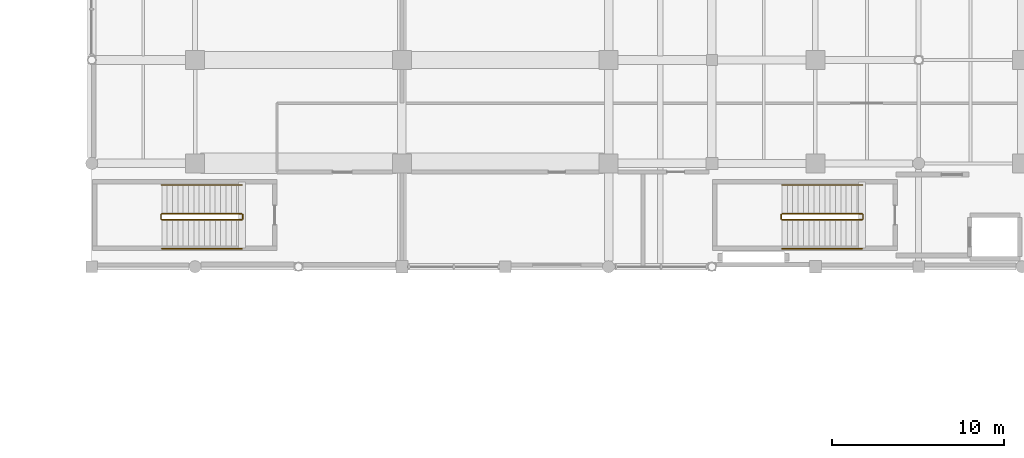
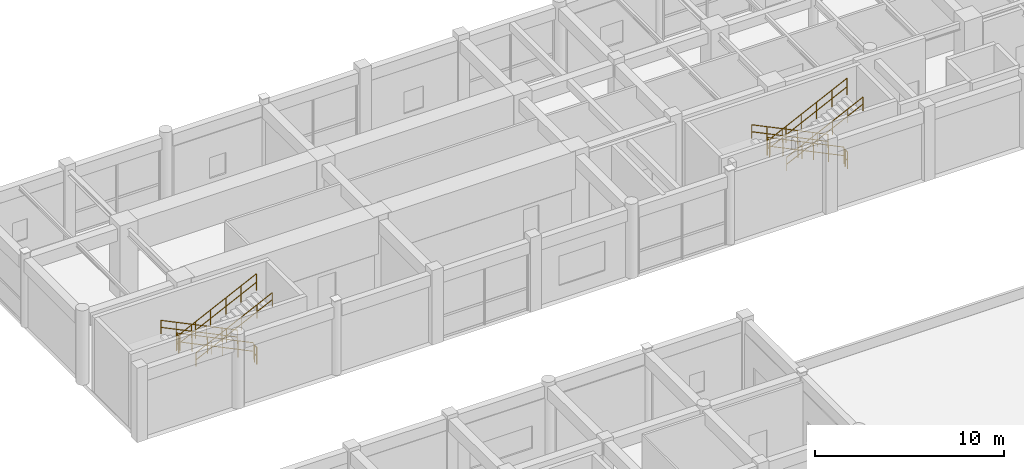
# One storey, part 120 of 123: 12 railings.
"""IFC4 building model written with IfcOpenShell, lengths in metres."""

from ifc_helpers import new_model, si_unit, direction, frame, origin, origin_2d, place, context, subcontext, project, spatial, circle, extrude, material, type_object, element, save


model = new_model("IFC4")

# Units and contexts
model_context = context("Model", 3, precision=1e-05, world=origin(), true_north=direction((0.0, 1.0)))
body_context = subcontext(model_context, "Body", "Model", "MODEL_VIEW")
ifc_project = project(units=[si_unit("LENGTHUNIT", "METRE"), si_unit("AREAUNIT", "SQUARE_METRE"), si_unit("VOLUMEUNIT", "CUBIC_METRE"), si_unit("PLANEANGLEUNIT", "RADIAN"), si_unit("MASSUNIT", "GRAM", prefix="KILO"), si_unit("THERMODYNAMICTEMPERATUREUNIT", "KELVIN"), si_unit("POWERUNIT", "WATT")], contexts=[model_context])

# Site, building, storey
site_placement = place(None, origin())
site = spatial("IfcSite", under=ifc_project, at=site_placement, CompositionType="ELEMENT")
building_placement = place(site_placement, origin())
building = spatial("IfcBuilding", under=site, at=building_placement, Name="Phaisarnlok Congress Hotel", CompositionType="ELEMENT")
storey_placement = place(building_placement, frame((0.0, 0.0, 15.0)))
storey = spatial("IfcBuildingStorey", under=building, at=storey_placement, Name="L03", CompositionType="ELEMENT", Elevation=15.0)

# Railings
ifc_material_1 = material(Name="Painted Galvanised Steel S275", Category="steel")
railing_type_1 = type_object("IfcRailingType", Name="RLG-STR-GUARD", PredefinedType="BALUSTRADE", material=ifc_material_1)
railing_1_placement = place(storey_placement, frame((110.719970703125, 111.070068359375, 0.14990234375)))
element("IfcRailing", 1, at=railing_1_placement, inside=storey, type_object=railing_type_1, Name="L03 ST-07 stair guard 1", PredefinedType="BALUSTRADE", context=body_context, shape_type="SweptSolid", body=[
    extrude(circle(Radius=0.02392578125, at=origin_2d()), frame((0.0, 0.0, 1.076171875), z_axis=(-0.900155664878, 0.0, 0.435568340204), x_axis=(0.0, -1.0, 0.0)), (0.0, 0.0, 1.0), 5.165771484375),
    extrude(circle(Radius=0.02392578125, at=origin_2d()), frame((0.0, 0.0, 0.52587890625), z_axis=(-0.900155664878, 0.0, 0.435568340204), x_axis=(0.0, -1.0, 0.0)), (0.0, 0.0, 1.0), 5.165771484375),
    extrude(circle(Radius=0.02099609375, at=origin_2d()), origin(), (0.0, 0.0, 1.0), 1.052001953125),
    extrude(circle(Radius=0.02099609375, at=origin_2d()), frame((-0.929931640625, 0.0, 0.449951171875)), (0.0, 0.0, 1.0), 1.052001953125),
    extrude(circle(Radius=0.02099609375, at=origin_2d()), frame((-1.85986328125, 0.0, 0.89990234375)), (0.0, 0.0, 1.0), 1.052001953125),
    extrude(circle(Radius=0.02099609375, at=origin_2d()), frame((-2.7900390625, 0.0, 1.35009765625)), (0.0, 0.0, 1.0), 1.052001953125),
    extrude(circle(Radius=0.02099609375, at=origin_2d()), frame((-3.719970703125, 0.0, 1.800048828125)), (0.0, 0.0, 1.0), 1.052001953125),
    extrude(circle(Radius=0.02099609375, at=origin_2d()), frame((-4.64990234375, 0.0, 2.25)), (0.0, 0.0, 1.0), 1.052001953125),
])
railing_2_placement = place(storey_placement, frame((106.02001953125, 111.02001953125, 2.39990234375)))
element("IfcRailing", 2, at=railing_2_placement, inside=storey, type_object=railing_type_1, Name="L03 ST-07 stair guard 2", PredefinedType="BALUSTRADE", context=body_context, shape_type="SweptSolid", body=[
    extrude(circle(Radius=0.02392578125, at=origin_2d()), frame((0.0, 0.0, 1.076171875), z_axis=(0.0, -1.0, 0.0), x_axis=(1.0, 0.0, 0.0)), (0.0, 0.0, 1.0), 0.239990234375),
    extrude(circle(Radius=0.02392578125, at=origin_2d()), frame((0.0, 0.0, 0.52587890625), z_axis=(0.0, -1.0, 0.0), x_axis=(1.0, 0.0, 0.0)), (0.0, 0.0, 1.0), 0.239990234375),
    extrude(circle(Radius=0.02099609375, at=origin_2d()), origin(), (0.0, 0.0, 1.0), 1.052001953125),
    extrude(circle(Radius=0.02099609375, at=origin_2d()), frame((0.0, -0.239990234375, 0.0)), (0.0, 0.0, 1.0), 1.052001953125),
])
railing_3_placement = place(storey_placement, frame((106.070068359375, 110.72998046875, 2.550048828125)))
element("IfcRailing", 3, at=railing_3_placement, inside=storey, type_object=railing_type_1, Name="L03 ST-07 stair guard 3", PredefinedType="BALUSTRADE", context=body_context, shape_type="SweptSolid", body=[
    extrude(circle(Radius=0.02392578125, at=origin_2d()), frame((0.0, 0.0, 1.076171875), z_axis=(0.900155664878, 0.0, 0.435568340204), x_axis=(0.0, 1.0, 0.0)), (0.0, 0.0, 1.0), 5.165771484375),
    extrude(circle(Radius=0.02392578125, at=origin_2d()), frame((0.0, 0.0, 0.52587890625), z_axis=(0.900155664878, 0.0, 0.435568340204), x_axis=(0.0, 1.0, 0.0)), (0.0, 0.0, 1.0), 5.165771484375),
    extrude(circle(Radius=0.02099609375, at=origin_2d()), origin(), (0.0, 0.0, 1.0), 1.052001953125),
    extrude(circle(Radius=0.02099609375, at=origin_2d()), frame((0.929931640625, 0.0, 0.449951171875)), (0.0, 0.0, 1.0), 1.052001953125),
    extrude(circle(Radius=0.02099609375, at=origin_2d()), frame((1.85986328125, 0.0, 0.89990234375)), (0.0, 0.0, 1.0), 1.052001953125),
    extrude(circle(Radius=0.02099609375, at=origin_2d()), frame((2.7900390625, 0.0, 1.35009765625)), (0.0, 0.0, 1.0), 1.052001953125),
    extrude(circle(Radius=0.02099609375, at=origin_2d()), frame((3.719970703125, 0.0, 1.800048828125)), (0.0, 0.0, 1.0), 1.052001953125),
    extrude(circle(Radius=0.02099609375, at=origin_2d()), frame((4.64990234375, 0.0, 2.25)), (0.0, 0.0, 1.0), 1.052001953125),
])
railing_4_placement = place(storey_placement, frame((110.77001953125, 111.02001953125, 0.0)))
element("IfcRailing", 4, at=railing_4_placement, inside=storey, type_object=railing_type_1, Name="L03 ST-07 stair guard 4", PredefinedType="BALUSTRADE", context=body_context, shape_type="SweptSolid", body=[
    extrude(circle(Radius=0.02392578125, at=origin_2d()), frame((0.0, 0.0, 1.076171875), z_axis=(0.0, -1.0, 0.0), x_axis=(1.0, 0.0, 0.0)), (0.0, 0.0, 1.0), 0.239990234375),
    extrude(circle(Radius=0.02392578125, at=origin_2d()), frame((0.0, 0.0, 0.52587890625), z_axis=(0.0, -1.0, 0.0), x_axis=(1.0, 0.0, 0.0)), (0.0, 0.0, 1.0), 0.239990234375),
    extrude(circle(Radius=0.02099609375, at=origin_2d()), origin(), (0.0, 0.0, 1.0), 1.052001953125),
    extrude(circle(Radius=0.02099609375, at=origin_2d()), frame((0.0, -0.239990234375, 0.0)), (0.0, 0.0, 1.0), 1.052001953125),
])
railing_5_placement = place(storey_placement, frame((74.719970703125, 111.070068359375, 0.14990234375)))
element("IfcRailing", 5, at=railing_5_placement, inside=storey, type_object=railing_type_1, Name="L03 ST-10 stair guard 1", PredefinedType="BALUSTRADE", context=body_context, shape_type="SweptSolid", body=[
    extrude(circle(Radius=0.02392578125, at=origin_2d()), frame((0.0, 0.0, 1.076171875), z_axis=(-0.900155664878, 0.0, 0.435568340204), x_axis=(0.0, -1.0, 0.0)), (0.0, 0.0, 1.0), 5.165771484375),
    extrude(circle(Radius=0.02392578125, at=origin_2d()), frame((0.0, 0.0, 0.52587890625), z_axis=(-0.900155664878, 0.0, 0.435568340204), x_axis=(0.0, -1.0, 0.0)), (0.0, 0.0, 1.0), 5.165771484375),
    extrude(circle(Radius=0.02099609375, at=origin_2d()), origin(), (0.0, 0.0, 1.0), 1.052001953125),
    extrude(circle(Radius=0.02099609375, at=origin_2d()), frame((-0.929931640625, 0.0, 0.449951171875)), (0.0, 0.0, 1.0), 1.052001953125),
    extrude(circle(Radius=0.02099609375, at=origin_2d()), frame((-1.85986328125, 0.0, 0.89990234375)), (0.0, 0.0, 1.0), 1.052001953125),
    extrude(circle(Radius=0.02099609375, at=origin_2d()), frame((-2.7900390625, 0.0, 1.35009765625)), (0.0, 0.0, 1.0), 1.052001953125),
    extrude(circle(Radius=0.02099609375, at=origin_2d()), frame((-3.719970703125, 0.0, 1.800048828125)), (0.0, 0.0, 1.0), 1.052001953125),
    extrude(circle(Radius=0.02099609375, at=origin_2d()), frame((-4.64990234375, 0.0, 2.25)), (0.0, 0.0, 1.0), 1.052001953125),
])
railing_6_placement = place(storey_placement, frame((70.02001953125, 111.02001953125, 2.39990234375)))
element("IfcRailing", 6, at=railing_6_placement, inside=storey, type_object=railing_type_1, Name="L03 ST-10 stair guard 2", PredefinedType="BALUSTRADE", context=body_context, shape_type="SweptSolid", body=[
    extrude(circle(Radius=0.02392578125, at=origin_2d()), frame((0.0, 0.0, 1.076171875), z_axis=(0.0, -1.0, 0.0), x_axis=(1.0, 0.0, 0.0)), (0.0, 0.0, 1.0), 0.239990234375),
    extrude(circle(Radius=0.02392578125, at=origin_2d()), frame((0.0, 0.0, 0.52587890625), z_axis=(0.0, -1.0, 0.0), x_axis=(1.0, 0.0, 0.0)), (0.0, 0.0, 1.0), 0.239990234375),
    extrude(circle(Radius=0.02099609375, at=origin_2d()), origin(), (0.0, 0.0, 1.0), 1.052001953125),
    extrude(circle(Radius=0.02099609375, at=origin_2d()), frame((0.0, -0.239990234375, 0.0)), (0.0, 0.0, 1.0), 1.052001953125),
])
railing_7_placement = place(storey_placement, frame((70.070068359375, 110.72998046875, 2.550048828125)))
element("IfcRailing", 7, at=railing_7_placement, inside=storey, type_object=railing_type_1, Name="L03 ST-10 stair guard 3", PredefinedType="BALUSTRADE", context=body_context, shape_type="SweptSolid", body=[
    extrude(circle(Radius=0.02392578125, at=origin_2d()), frame((0.0, 0.0, 1.076171875), z_axis=(0.900155664878, 0.0, 0.435568340204), x_axis=(0.0, 1.0, 0.0)), (0.0, 0.0, 1.0), 5.165771484375),
    extrude(circle(Radius=0.02392578125, at=origin_2d()), frame((0.0, 0.0, 0.52587890625), z_axis=(0.900155664878, 0.0, 0.435568340204), x_axis=(0.0, 1.0, 0.0)), (0.0, 0.0, 1.0), 5.165771484375),
    extrude(circle(Radius=0.02099609375, at=origin_2d()), origin(), (0.0, 0.0, 1.0), 1.052001953125),
    extrude(circle(Radius=0.02099609375, at=origin_2d()), frame((0.929931640625, 0.0, 0.449951171875)), (0.0, 0.0, 1.0), 1.052001953125),
    extrude(circle(Radius=0.02099609375, at=origin_2d()), frame((1.85986328125, 0.0, 0.89990234375)), (0.0, 0.0, 1.0), 1.052001953125),
    extrude(circle(Radius=0.02099609375, at=origin_2d()), frame((2.7900390625, 0.0, 1.35009765625)), (0.0, 0.0, 1.0), 1.052001953125),
    extrude(circle(Radius=0.02099609375, at=origin_2d()), frame((3.719970703125, 0.0, 1.800048828125)), (0.0, 0.0, 1.0), 1.052001953125),
    extrude(circle(Radius=0.02099609375, at=origin_2d()), frame((4.64990234375, 0.0, 2.25)), (0.0, 0.0, 1.0), 1.052001953125),
])
railing_8_placement = place(storey_placement, frame((74.77001953125, 111.02001953125, 0.0)))
element("IfcRailing", 8, at=railing_8_placement, inside=storey, type_object=railing_type_1, Name="L03 ST-10 stair guard 4", PredefinedType="BALUSTRADE", context=body_context, shape_type="SweptSolid", body=[
    extrude(circle(Radius=0.02392578125, at=origin_2d()), frame((0.0, 0.0, 1.076171875), z_axis=(0.0, -1.0, 0.0), x_axis=(1.0, 0.0, 0.0)), (0.0, 0.0, 1.0), 0.239990234375),
    extrude(circle(Radius=0.02392578125, at=origin_2d()), frame((0.0, 0.0, 0.52587890625), z_axis=(0.0, -1.0, 0.0), x_axis=(1.0, 0.0, 0.0)), (0.0, 0.0, 1.0), 0.239990234375),
    extrude(circle(Radius=0.02099609375, at=origin_2d()), origin(), (0.0, 0.0, 1.0), 1.052001953125),
    extrude(circle(Radius=0.02099609375, at=origin_2d()), frame((0.0, -0.239990234375, 0.0)), (0.0, 0.0, 1.0), 1.052001953125),
])
ifc_material_2 = material(Name="Brushed Stainless Steel Grade 304", Category="steel")
railing_type_2 = type_object("IfcRailingType", Name="RLG-STR-HRAIL", PredefinedType="HANDRAIL", material=ifc_material_2)
railing_9_placement = place(storey_placement, frame((110.719970703125, 112.75, 0.14990234375)))
element("IfcRailing", 9, at=railing_9_placement, inside=storey, type_object=railing_type_2, Name="L03 ST-07 stair handrail 1", PredefinedType="HANDRAIL", context=body_context, shape_type="SweptSolid", body=[
    extrude(circle(Radius=0.02392578125, at=origin_2d()), frame((0.0, 0.0, 0.8759765625), z_axis=(-0.900155664878, 0.0, 0.435568340204), x_axis=(0.0, -1.0, 0.0)), (0.0, 0.0, 1.0), 5.165771484375),
    extrude(circle(Radius=0.02392578125, at=origin_2d()), frame((0.0, 0.0, 0.42578125), z_axis=(-0.900155664878, 0.0, 0.435568340204), x_axis=(0.0, -1.0, 0.0)), (0.0, 0.0, 1.0), 5.165771484375),
    extrude(circle(Radius=0.02099609375, at=origin_2d()), origin(), (0.0, 0.0, 1.0), 0.851806640625),
    extrude(circle(Radius=0.02099609375, at=origin_2d()), frame((-0.929931640625, 0.0, 0.449951171875)), (0.0, 0.0, 1.0), 0.851806640625),
    extrude(circle(Radius=0.02099609375, at=origin_2d()), frame((-1.85986328125, 0.0, 0.89990234375)), (0.0, 0.0, 1.0), 0.851806640625),
    extrude(circle(Radius=0.02099609375, at=origin_2d()), frame((-2.7900390625, 0.0, 1.35009765625)), (0.0, 0.0, 1.0), 0.851806640625),
    extrude(circle(Radius=0.02099609375, at=origin_2d()), frame((-3.719970703125, 0.0, 1.800048828125)), (0.0, 0.0, 1.0), 0.851806640625),
    extrude(circle(Radius=0.02099609375, at=origin_2d()), frame((-4.64990234375, 0.0, 2.25)), (0.0, 0.0, 1.0), 0.851806640625),
])
railing_10_placement = place(storey_placement, frame((106.070068359375, 109.050048828125, 2.550048828125)))
element("IfcRailing", 10, at=railing_10_placement, inside=storey, type_object=railing_type_2, Name="L03 ST-07 stair handrail 2", PredefinedType="HANDRAIL", context=body_context, shape_type="SweptSolid", body=[
    extrude(circle(Radius=0.02392578125, at=origin_2d()), frame((0.0, 0.0, 0.8759765625), z_axis=(0.900155664878, 0.0, 0.435568340204), x_axis=(0.0, 1.0, 0.0)), (0.0, 0.0, 1.0), 5.165771484375),
    extrude(circle(Radius=0.02392578125, at=origin_2d()), frame((0.0, 0.0, 0.42578125), z_axis=(0.900155664878, 0.0, 0.435568340204), x_axis=(0.0, 1.0, 0.0)), (0.0, 0.0, 1.0), 5.165771484375),
    extrude(circle(Radius=0.02099609375, at=origin_2d()), origin(), (0.0, 0.0, 1.0), 0.851806640625),
    extrude(circle(Radius=0.02099609375, at=origin_2d()), frame((0.929931640625, 0.0, 0.449951171875)), (0.0, 0.0, 1.0), 0.851806640625),
    extrude(circle(Radius=0.02099609375, at=origin_2d()), frame((1.85986328125, 0.0, 0.89990234375)), (0.0, 0.0, 1.0), 0.851806640625),
    extrude(circle(Radius=0.02099609375, at=origin_2d()), frame((2.7900390625, 0.0, 1.35009765625)), (0.0, 0.0, 1.0), 0.851806640625),
    extrude(circle(Radius=0.02099609375, at=origin_2d()), frame((3.719970703125, 0.0, 1.800048828125)), (0.0, 0.0, 1.0), 0.851806640625),
    extrude(circle(Radius=0.02099609375, at=origin_2d()), frame((4.64990234375, 0.0, 2.25)), (0.0, 0.0, 1.0), 0.851806640625),
])
railing_11_placement = place(storey_placement, frame((74.719970703125, 112.75, 0.14990234375)))
element("IfcRailing", 11, at=railing_11_placement, inside=storey, type_object=railing_type_2, Name="L03 ST-10 stair handrail 1", PredefinedType="HANDRAIL", context=body_context, shape_type="SweptSolid", body=[
    extrude(circle(Radius=0.02392578125, at=origin_2d()), frame((0.0, 0.0, 0.8759765625), z_axis=(-0.900155664878, 0.0, 0.435568340204), x_axis=(0.0, -1.0, 0.0)), (0.0, 0.0, 1.0), 5.165771484375),
    extrude(circle(Radius=0.02392578125, at=origin_2d()), frame((0.0, 0.0, 0.42578125), z_axis=(-0.900155664878, 0.0, 0.435568340204), x_axis=(0.0, -1.0, 0.0)), (0.0, 0.0, 1.0), 5.165771484375),
    extrude(circle(Radius=0.02099609375, at=origin_2d()), origin(), (0.0, 0.0, 1.0), 0.851806640625),
    extrude(circle(Radius=0.02099609375, at=origin_2d()), frame((-0.929931640625, 0.0, 0.449951171875)), (0.0, 0.0, 1.0), 0.851806640625),
    extrude(circle(Radius=0.02099609375, at=origin_2d()), frame((-1.85986328125, 0.0, 0.89990234375)), (0.0, 0.0, 1.0), 0.851806640625),
    extrude(circle(Radius=0.02099609375, at=origin_2d()), frame((-2.7900390625, 0.0, 1.35009765625)), (0.0, 0.0, 1.0), 0.851806640625),
    extrude(circle(Radius=0.02099609375, at=origin_2d()), frame((-3.719970703125, 0.0, 1.800048828125)), (0.0, 0.0, 1.0), 0.851806640625),
    extrude(circle(Radius=0.02099609375, at=origin_2d()), frame((-4.64990234375, 0.0, 2.25)), (0.0, 0.0, 1.0), 0.851806640625),
])
railing_12_placement = place(storey_placement, frame((70.070068359375, 109.050048828125, 2.550048828125)))
element("IfcRailing", 12, at=railing_12_placement, inside=storey, type_object=railing_type_2, Name="L03 ST-10 stair handrail 2", PredefinedType="HANDRAIL", context=body_context, shape_type="SweptSolid", body=[
    extrude(circle(Radius=0.02392578125, at=origin_2d()), frame((0.0, 0.0, 0.8759765625), z_axis=(0.900155664878, 0.0, 0.435568340204), x_axis=(0.0, 1.0, 0.0)), (0.0, 0.0, 1.0), 5.165771484375),
    extrude(circle(Radius=0.02392578125, at=origin_2d()), frame((0.0, 0.0, 0.42578125), z_axis=(0.900155664878, 0.0, 0.435568340204), x_axis=(0.0, 1.0, 0.0)), (0.0, 0.0, 1.0), 5.165771484375),
    extrude(circle(Radius=0.02099609375, at=origin_2d()), origin(), (0.0, 0.0, 1.0), 0.851806640625),
    extrude(circle(Radius=0.02099609375, at=origin_2d()), frame((0.929931640625, 0.0, 0.449951171875)), (0.0, 0.0, 1.0), 0.851806640625),
    extrude(circle(Radius=0.02099609375, at=origin_2d()), frame((1.85986328125, 0.0, 0.89990234375)), (0.0, 0.0, 1.0), 0.851806640625),
    extrude(circle(Radius=0.02099609375, at=origin_2d()), frame((2.7900390625, 0.0, 1.35009765625)), (0.0, 0.0, 1.0), 0.851806640625),
    extrude(circle(Radius=0.02099609375, at=origin_2d()), frame((3.719970703125, 0.0, 1.800048828125)), (0.0, 0.0, 1.0), 0.851806640625),
    extrude(circle(Radius=0.02099609375, at=origin_2d()), frame((4.64990234375, 0.0, 2.25)), (0.0, 0.0, 1.0), 0.851806640625),
])

save(model, "model.ifc")
